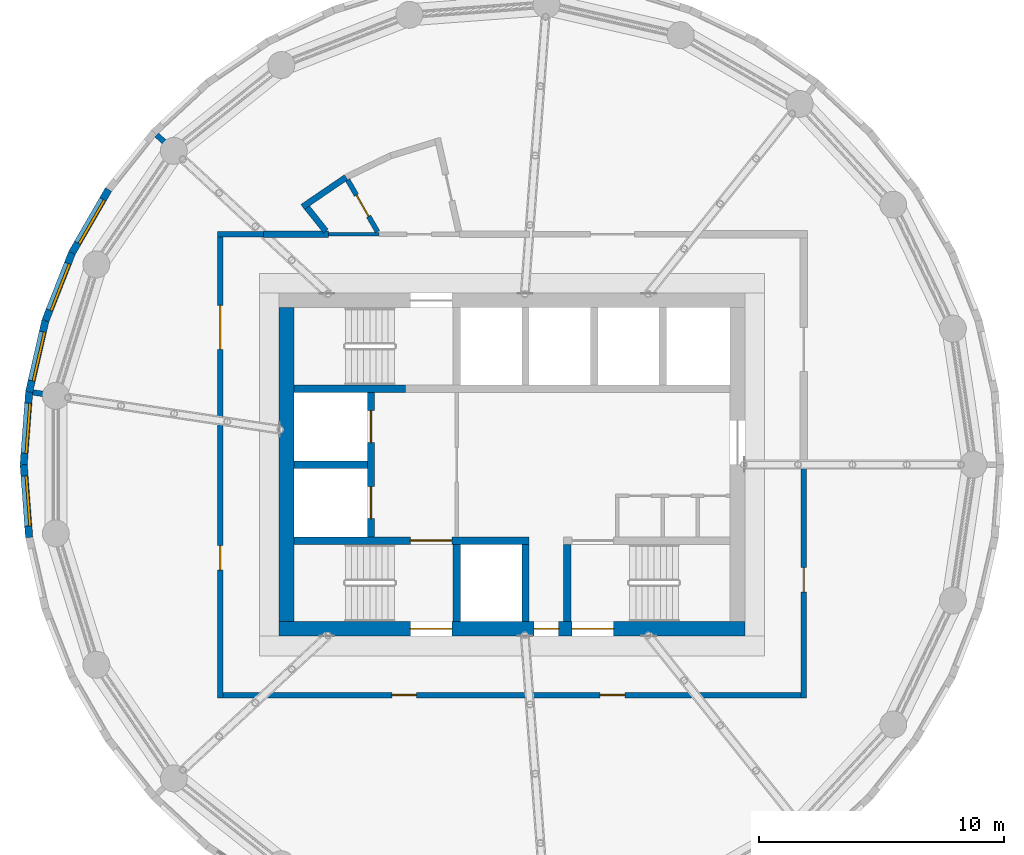
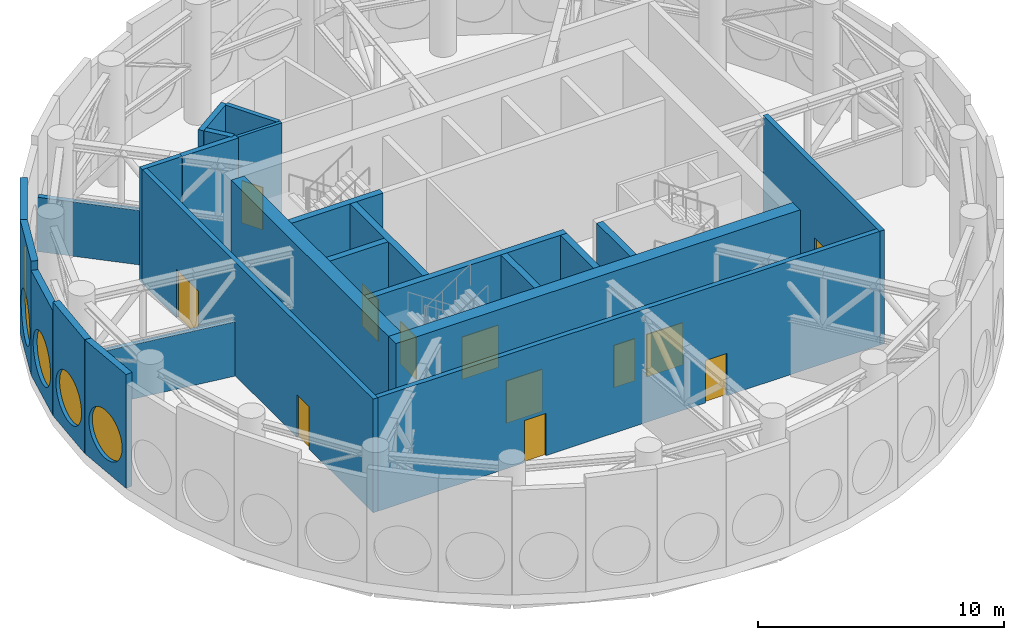
# One storey, part 8 of 13: 25 walls, 12 doors, 5 windows, 17 openings.
"""IFC4 building model written with IfcOpenShell, lengths in metres."""

from ifc_helpers import new_model, si_unit, direction, frame, frame_2d, origin, origin_2d, place, context, subcontext, project, spatial, rectangle, circle, extrude, material, layer, layer_set, type_object, element, fill, save


model = new_model("IFC4")

# Units and contexts
model_context = context("Model", 3, precision=1e-05, world=origin(), true_north=direction((0.0, 1.0)))
body_context = subcontext(model_context, "Body", "Model", "MODEL_VIEW")
ifc_project = project(units=[si_unit("LENGTHUNIT", "METRE"), si_unit("AREAUNIT", "SQUARE_METRE"), si_unit("VOLUMEUNIT", "CUBIC_METRE"), si_unit("PLANEANGLEUNIT", "RADIAN"), si_unit("MASSUNIT", "GRAM", prefix="KILO")], contexts=[model_context])

# Site, building, storey
site_placement = place(None, origin())
site = spatial("IfcSite", under=ifc_project, at=site_placement, CompositionType="ELEMENT")
building_placement = place(site_placement, origin())
building = spatial("IfcBuilding", under=site, at=building_placement, Name="Tracery Tower", CompositionType="ELEMENT")
storey_placement = place(building_placement, frame((0.0, 0.0, 277.800048828125)))
storey = spatial("IfcBuildingStorey", under=building, at=storey_placement, Name="L72 Plant", CompositionType="ELEMENT", Elevation=277.800048828125)

# Wall, openings, doors
ifc_material_1 = material(Name="Concrete C40/50", Category="concrete")
ifc_layer_1 = layer(ifc_material_1, 0.60009765625)
ifc_layer_set_1 = layer_set([ifc_layer_1], Name="Core wall 600 C40")
wall_type_1 = type_object("IfcWallType", Name="Core wall 600 C40", PredefinedType="SOLIDWALL", material=ifc_layer_set_1)
wall_1_placement = place(storey_placement, frame((-9.5, -6.699951171875, 0.0), z_axis=(0.0, 0.0, 1.0), x_axis=(1.0, 0.0, 0.0)))
wall_1 = element("IfcWall", 1, at=wall_1_placement, inside=storey, type_object=wall_type_1, Name="L72 Plant outer S", PredefinedType="SOLIDWALL", context=body_context, shape_type="SweptSolid", body=[
    extrude(rectangle(XDim=19.0, YDim=0.60009765625, at=frame_2d((9.5, 0.0))), origin(), (0.0, 0.0, 1.0), 6.0),
])
opening_1_placement = place(wall_1_placement, frame((10.39990234375, 0.0, 0.0)))
opening_1 = element("IfcOpeningElement", 2, at=opening_1_placement, cuts=wall_1, Name="Opening KD16", PredefinedType="OPENING", context=body_context, shape_type="SweptSolid", body=[
    extrude(rectangle(XDim=1.0, YDim=2.10009765625, at=frame_2d((0.5, 1.050048828125))), frame((0.0, 0.300048828125, 0.0), z_axis=(0.0, -1.0, 0.0), x_axis=(1.0, 0.0, 0.0)), (0.0, 0.0, 1.0), 0.60009765625),
])
opening_2_placement = place(wall_1_placement, frame((5.35009765625, 0.0, 0.0)))
opening_2 = element("IfcOpeningElement", 3, at=opening_2_placement, cuts=wall_1, Name="Opening KD3", PredefinedType="OPENING", context=body_context, shape_type="SweptSolid", body=[
    extrude(rectangle(XDim=1.699951171875, YDim=2.10009765625, at=frame_2d((0.85009765625, 1.050048828125))), frame((0.0, 0.300048828125, 0.0), z_axis=(0.0, -1.0, 0.0), x_axis=(1.0, 0.0, 0.0)), (0.0, 0.0, 1.0), 0.60009765625),
])
opening_3_placement = place(wall_1_placement, frame((11.949951171875, 0.0, 0.0)))
opening_3 = element("IfcOpeningElement", 4, at=opening_3_placement, cuts=wall_1, Name="Opening KD3", PredefinedType="OPENING", context=body_context, shape_type="SweptSolid", body=[
    extrude(rectangle(XDim=1.699951171875, YDim=2.10009765625, at=frame_2d((0.85009765625, 1.050048828125))), frame((0.0, 0.300048828125, 0.0), z_axis=(0.0, -1.0, 0.0), x_axis=(1.0, 0.0, 0.0)), (0.0, 0.0, 1.0), 0.60009765625),
])
ifc_material_2 = material(Name="Steel fire door", Category="steel")
door_type_1 = type_object("IfcDoorType", Name="Core exit door 1000", OperationType="NOTDEFINED", PredefinedType="DOOR", material=ifc_material_2)
door_1_placement = place(opening_1_placement, origin())
door_1 = element("IfcDoor", 5, at=door_1_placement, inside=storey, type_object=door_type_1, Name="Core exit door", OperationType="SINGLE_SWING_LEFT", OverallHeight=2.10009765625, OverallWidth=1.0, PredefinedType="DOOR", context=body_context, shape_type="SweptSolid", body=[
    extrude(rectangle(XDim=1.0, YDim=2.10009765625, at=frame_2d((0.5, 1.050048828125))), frame((0.0, 0.02490234375, 0.0), z_axis=(0.0, -1.0, 0.0), x_axis=(1.0, 0.0, 0.0)), (0.0, 0.0, 1.0), 0.050048828125),
])
fill(opening_1, door_1)
ifc_material_3 = material(Name="Steel fire door", Category="steel")
door_type_2 = type_object("IfcDoorType", Name="Core stair door 1700 double", OperationType="NOTDEFINED", PredefinedType="DOOR", material=ifc_material_3)
door_2_placement = place(opening_2_placement, origin())
door_2 = element("IfcDoor", 6, at=door_2_placement, inside=storey, type_object=door_type_2, Name="Stair door ST1 exit", OperationType="DOUBLE_DOOR_SINGLE_SWING", OverallHeight=2.10009765625, OverallWidth=1.699951171875, PredefinedType="DOOR", context=body_context, shape_type="SweptSolid", body=[
    extrude(rectangle(XDim=1.699951171875, YDim=2.10009765625, at=frame_2d((0.85009765625, 1.050048828125))), frame((0.0, 0.02490234375, 0.0), z_axis=(0.0, -1.0, 0.0), x_axis=(1.0, 0.0, 0.0)), (0.0, 0.0, 1.0), 0.050048828125),
])
fill(opening_2, door_2)
door_3_placement = place(opening_3_placement, origin())
door_3 = element("IfcDoor", 7, at=door_3_placement, inside=storey, type_object=door_type_2, Name="Stair door ST2 exit", OperationType="DOUBLE_DOOR_SINGLE_SWING", OverallHeight=2.10009765625, OverallWidth=1.699951171875, PredefinedType="DOOR", context=body_context, shape_type="SweptSolid", body=[
    extrude(rectangle(XDim=1.699951171875, YDim=2.10009765625, at=frame_2d((0.85009765625, 1.050048828125))), frame((0.0, 0.02490234375, 0.0), z_axis=(0.0, -1.0, 0.0), x_axis=(1.0, 0.0, 0.0)), (0.0, 0.0, 1.0), 0.050048828125),
])
fill(opening_3, door_3)

# Walls
wall_2_placement = place(storey_placement, frame((-9.199951171875, -6.39990234375, 0.0), z_axis=(0.0, 0.0, 1.0), x_axis=(0.0, 1.0, 0.0)))
element("IfcWall", 8, at=wall_2_placement, inside=storey, type_object=wall_type_1, Name="L72 Plant outer W", PredefinedType="SOLIDWALL", context=body_context, shape_type="SweptSolid", body=[
    extrude(rectangle(XDim=12.7998046875, YDim=0.60009765625, at=frame_2d((6.39990234375, 0.0))), origin(), (0.0, 0.0, 1.0), 6.0),
])
ifc_material_4 = material(Name="Plasterboard on steel studs", Category="steel")
ifc_layer_2 = layer(ifc_material_4, 0.14990234375)
ifc_layer_set_2 = layer_set([ifc_layer_2], Name="Corridor partition 150")
wall_type_2 = type_object("IfcWallType", Name="Corridor partition 150", PredefinedType="PARTITIONING", material=ifc_layer_set_2)
wall_3_placement = place(storey_placement, frame((-5.427001953125, 9.39990234375, 0.0), z_axis=(0.0, 0.0, 1.0), x_axis=(-1.0, 0.0, 0.0)))
element("IfcWall", 9, at=wall_3_placement, inside=storey, type_object=wall_type_2, Name="Corridor partition 150", PredefinedType="PARTITIONING", context=body_context, shape_type="SweptSolid", body=[
    extrude(rectangle(XDim=2.069091796875, YDim=0.14990234375, at=frame_2d((1.03466796875, 0.0))), origin(), (0.0, 0.0, 1.0), 5.64990234375),
])

# Wall, opening, door
ifc_material_5 = material(Name="Concrete blockwork", Category="masonry")
ifc_layer_3 = layer(ifc_material_5, 0.199951171875)
ifc_layer_set_3 = layer_set([ifc_layer_3], Name="Fire lobby wall 200")
wall_type_3 = type_object("IfcWallType", Name="Fire lobby wall 200", PredefinedType="PARTITIONING", material=ifc_layer_set_3)
wall_4_placement = place(storey_placement, frame((-5.48486328125, 9.5, 0.0), z_axis=(0.0, 0.0, 1.0), x_axis=(-0.499947586314, 0.866055662726, 0.0)))
wall_4 = element("IfcWall", 10, at=wall_4_placement, inside=storey, type_object=wall_type_3, Name="Fire lobby wall 200", PredefinedType="PARTITIONING", context=body_context, shape_type="SweptSolid", body=[
    extrude(rectangle(XDim=2.440673828125, YDim=0.199951171875, at=frame_2d((1.22021484375, 0.0))), origin(), (0.0, 0.0, 1.0), 5.64990234375),
])
opening_4_placement = place(wall_4_placement, frame((0.725341796875, 0.0, 0.0)))
opening_4 = element("IfcOpeningElement", 11, at=opening_4_placement, cuts=wall_4, Name="Opening SB-P72-10", PredefinedType="OPENING", context=body_context, shape_type="SweptSolid", body=[
    extrude(rectangle(XDim=1.0, YDim=2.10009765625, at=frame_2d((0.5, 1.050048828125))), frame((0.0, 0.10009765625, 0.0), z_axis=(0.0, -1.0, 0.0), x_axis=(1.0, 0.0, 0.0)), (0.0, 0.0, 1.0), 0.199951171875),
])
ifc_material_6 = material(Name="Timber door leaf", Category="wood")
door_type_3 = type_object("IfcDoorType", Name="Accessible toilet door 1000", OperationType="NOTDEFINED", PredefinedType="DOOR", material=ifc_material_6)
door_4_placement = place(opening_4_placement, origin())
door_4 = element("IfcDoor", 12, at=door_4_placement, inside=storey, type_object=door_type_3, Name="Accessible toilet door 1000", OperationType="SINGLE_SWING_RIGHT", OverallHeight=2.10009765625, OverallWidth=1.0, PredefinedType="DOOR", context=body_context, shape_type="SweptSolid", body=[
    extrude(rectangle(XDim=1.0, YDim=2.10009765625, at=frame_2d((0.5, 1.050048828125))), frame((0.0, 0.02490234375, 0.0), z_axis=(0.0, -1.0, 0.0), x_axis=(1.0, 0.0, 0.0)), (0.0, 0.0, 1.0), 0.050048828125),
])
fill(opening_4, door_4)

# Wall, opening, window
ifc_material_7 = material(Name="Precast concrete C50/60", Category="concrete")
ifc_layer_4 = layer(ifc_material_7, 0.300048828125)
ifc_layer_set_4 = layer_set([ifc_layer_4], Name="Plant louvre panel 3000 x 5200")
wall_type_4 = type_object("IfcWallType", Name="Plant louvre panel 3000 x 5200", PredefinedType="SOLIDWALL", material=ifc_layer_set_4)
wall_5_placement = place(storey_placement, frame((-19.03662109375, 5.8720703125, 0.0), z_axis=(0.0, 0.0, 1.0), x_axis=(-0.222535358937, -0.974924619662, 0.0)))
wall_5 = element("IfcWall", 13, at=wall_5_placement, inside=storey, type_object=wall_type_4, Name="Plant louvre panel 20 at L72 Plant", PredefinedType="SOLIDWALL", context=body_context, shape_type="SweptSolid", body=[
    extrude(rectangle(XDim=2.9775390625, YDim=0.300048828125, at=frame_2d((1.48876953125, 0.0))), origin(), (0.0, 0.0, 1.0), 5.199951171875),
])
opening_5_placement = place(wall_5_placement, frame((1.48876953125, 0.0, 1.824951171875)))
opening_5 = element("IfcOpeningElement", 14, at=opening_5_placement, cuts=wall_5, Name="Opening LV2", PredefinedType="OPENING", context=body_context, shape_type="SweptSolid", body=[
    extrude(circle(Radius=1.199951171875, at=origin_2d()), frame((0.0, 0.159912109375, 0.0), z_axis=(0.0, -1.0, 0.0), x_axis=(1.0, 0.0, 0.0)), (0.0, 0.0, 1.0), 0.320068359375),
])
ifc_material_8 = material(Name="Aluminium louvre, bronze anodised", Category="aluminium")
window_type = type_object("IfcWindowType", Name="Louvred oculus 2400, sill 625", PartitioningType="SINGLE_PANEL", PredefinedType="WINDOW", material=ifc_material_8)
window_1_placement = place(opening_5_placement, origin())
window_1 = element("IfcWindow", 15, at=window_1_placement, inside=storey, type_object=window_type, Name="Louvred oculus 20 at L72 Plant", OverallHeight=2.39990234375, OverallWidth=2.39990234375, PartitioningType="SINGLE_PANEL", PredefinedType="WINDOW", context=body_context, shape_type="SweptSolid", body=[
    extrude(circle(Radius=1.199951171875, at=origin_2d()), frame((0.0, 0.1201171875, 0.0), z_axis=(0.0, -1.0, 0.0), x_axis=(1.0, 0.0, 0.0)), (0.0, 0.0, 1.0), 0.10009765625),
])
fill(opening_5, window_1)

ifc_material_9 = material(Name="Precast concrete C50/60", Category="concrete")
ifc_layer_5 = layer(ifc_material_9, 0.300048828125)
ifc_layer_set_5 = layer_set([ifc_layer_5], Name="Plant louvre panel 3000 x 5650")
wall_type_5 = type_object("IfcWallType", Name="Plant louvre panel 3000 x 5650", PredefinedType="SOLIDWALL", material=ifc_layer_set_5)
wall_6_placement = place(storey_placement, frame((-16.460205078125, 11.222412109375, 0.0), z_axis=(0.0, 0.0, 1.0), x_axis=(-0.500001626982, -0.866024464444, 0.0)))
wall_6 = element("IfcWall", 16, at=wall_6_placement, inside=storey, type_object=wall_type_5, Name="Plant louvre panel 18 at L72 Plant", PredefinedType="SOLIDWALL", context=body_context, shape_type="SweptSolid", body=[
    extrude(rectangle(XDim=2.9775390625, YDim=0.300048828125, at=frame_2d((1.48876953125, 0.0))), origin(), (0.0, 0.0, 1.0), 5.64990234375),
])
opening_6_placement = place(wall_6_placement, frame((1.48876953125, 0.0, 1.824951171875)))
opening_6 = element("IfcOpeningElement", 17, at=opening_6_placement, cuts=wall_6, Name="Opening LV2", PredefinedType="OPENING", context=body_context, shape_type="SweptSolid", body=[
    extrude(circle(Radius=1.199951171875, at=origin_2d()), frame((0.0, 0.159912109375, 0.0), z_axis=(0.0, -1.0, 0.0), x_axis=(1.0, 0.0, 0.0)), (0.0, 0.0, 1.0), 0.320068359375),
])
window_2_placement = place(opening_6_placement, origin())
window_2 = element("IfcWindow", 18, at=window_2_placement, inside=storey, type_object=window_type, Name="Louvred oculus 18 at L72 Plant", OverallHeight=2.39990234375, OverallWidth=2.39990234375, PartitioningType="SINGLE_PANEL", PredefinedType="WINDOW", context=body_context, shape_type="SweptSolid", body=[
    extrude(circle(Radius=1.199951171875, at=origin_2d()), frame((0.0, 0.1201171875, 0.0), z_axis=(0.0, -1.0, 0.0), x_axis=(1.0, 0.0, 0.0)), (0.0, 0.0, 1.0), 0.10009765625),
])
fill(opening_6, window_2)

wall_7_placement = place(storey_placement, frame((-17.948974609375, 8.643798828125, 0.0), z_axis=(0.0, 0.0, 1.0), x_axis=(-0.365289571566, -0.930893940739, 0.0)))
wall_7 = element("IfcWall", 19, at=wall_7_placement, inside=storey, type_object=wall_type_5, Name="Plant louvre panel 19 at L72 Plant", PredefinedType="SOLIDWALL", context=body_context, shape_type="SweptSolid", body=[
    extrude(rectangle(XDim=2.9775390625, YDim=0.300048828125, at=frame_2d((1.48876953125, 0.0))), origin(), (0.0, 0.0, 1.0), 5.64990234375),
])
opening_7_placement = place(wall_7_placement, frame((1.48876953125, 0.0, 1.824951171875)))
opening_7 = element("IfcOpeningElement", 20, at=opening_7_placement, cuts=wall_7, Name="Opening LV2", PredefinedType="OPENING", context=body_context, shape_type="SweptSolid", body=[
    extrude(circle(Radius=1.199951171875, at=origin_2d()), frame((0.0, 0.159912109375, 0.0), z_axis=(0.0, -1.0, 0.0), x_axis=(1.0, 0.0, 0.0)), (0.0, 0.0, 1.0), 0.320068359375),
])
window_3_placement = place(opening_7_placement, origin())
window_3 = element("IfcWindow", 21, at=window_3_placement, inside=storey, type_object=window_type, Name="Louvred oculus 19 at L72 Plant", OverallHeight=2.39990234375, OverallWidth=2.39990234375, PartitioningType="SINGLE_PANEL", PredefinedType="WINDOW", context=body_context, shape_type="SweptSolid", body=[
    extrude(circle(Radius=1.199951171875, at=origin_2d()), frame((0.0, 0.1201171875, 0.0), z_axis=(0.0, -1.0, 0.0), x_axis=(1.0, 0.0, 0.0)), (0.0, 0.0, 1.0), 0.10009765625),
])
fill(opening_7, window_3)

wall_8_placement = place(storey_placement, frame((-19.69921875, 2.96923828125, 0.0), z_axis=(0.0, 0.0, 1.0), x_axis=(-0.074777718064, -0.997200227076, 0.0)))
wall_8 = element("IfcWall", 22, at=wall_8_placement, inside=storey, type_object=wall_type_5, Name="Plant louvre panel 21 at L72 Plant", PredefinedType="SOLIDWALL", context=body_context, shape_type="SweptSolid", body=[
    extrude(rectangle(XDim=2.9775390625, YDim=0.300048828125, at=frame_2d((1.48876953125, 0.0))), origin(), (0.0, 0.0, 1.0), 5.64990234375),
])
opening_8_placement = place(wall_8_placement, frame((1.48876953125, 0.0, 1.824951171875)))
opening_8 = element("IfcOpeningElement", 23, at=opening_8_placement, cuts=wall_8, Name="Opening LV2", PredefinedType="OPENING", context=body_context, shape_type="SweptSolid", body=[
    extrude(circle(Radius=1.199951171875, at=origin_2d()), frame((0.0, 0.159912109375, 0.0), z_axis=(0.0, -1.0, 0.0), x_axis=(1.0, 0.0, 0.0)), (0.0, 0.0, 1.0), 0.320068359375),
])
window_4_placement = place(opening_8_placement, origin())
window_4 = element("IfcWindow", 24, at=window_4_placement, inside=storey, type_object=window_type, Name="Louvred oculus 21 at L72 Plant", OverallHeight=2.39990234375, OverallWidth=2.39990234375, PartitioningType="SINGLE_PANEL", PredefinedType="WINDOW", context=body_context, shape_type="SweptSolid", body=[
    extrude(circle(Radius=1.199951171875, at=origin_2d()), frame((0.0, 0.1201171875, 0.0), z_axis=(0.0, -1.0, 0.0), x_axis=(1.0, 0.0, 0.0)), (0.0, 0.0, 1.0), 0.10009765625),
])
fill(opening_8, window_4)

wall_9_placement = place(storey_placement, frame((-19.921875, 0.0, 0.0), z_axis=(0.0, 0.0, 1.0), x_axis=(0.074777718064, -0.997200227076, 0.0)))
wall_9 = element("IfcWall", 25, at=wall_9_placement, inside=storey, type_object=wall_type_5, Name="Plant louvre panel 22 at L72 Plant", PredefinedType="SOLIDWALL", context=body_context, shape_type="SweptSolid", body=[
    extrude(rectangle(XDim=2.9775390625, YDim=0.300048828125, at=frame_2d((1.48876953125, 0.0))), origin(), (0.0, 0.0, 1.0), 5.64990234375),
])
opening_9_placement = place(wall_9_placement, frame((1.48876953125, 0.0, 1.824951171875)))
opening_9 = element("IfcOpeningElement", 26, at=opening_9_placement, cuts=wall_9, Name="Opening LV2", PredefinedType="OPENING", context=body_context, shape_type="SweptSolid", body=[
    extrude(circle(Radius=1.199951171875, at=origin_2d()), frame((0.0, 0.159912109375, 0.0), z_axis=(0.0, -1.0, 0.0), x_axis=(1.0, 0.0, 0.0)), (0.0, 0.0, 1.0), 0.320068359375),
])
window_5_placement = place(opening_9_placement, origin())
window_5 = element("IfcWindow", 27, at=window_5_placement, inside=storey, type_object=window_type, Name="Louvred oculus 22 at L72 Plant", OverallHeight=2.39990234375, OverallWidth=2.39990234375, PartitioningType="SINGLE_PANEL", PredefinedType="WINDOW", context=body_context, shape_type="SweptSolid", body=[
    extrude(circle(Radius=1.199951171875, at=origin_2d()), frame((0.0, 0.1201171875, 0.0), z_axis=(0.0, -1.0, 0.0), x_axis=(1.0, 0.0, 0.0)), (0.0, 0.0, 1.0), 0.10009765625),
])
fill(opening_9, window_5)

# Wall, openings, doors
ifc_material_10 = material(Name="Concrete blockwork", Category="masonry")
ifc_layer_6 = layer(ifc_material_10, 0.22509765625)
ifc_layer_set_6 = layer_set([ifc_layer_6], Name="Plant room block wall 225")
wall_type_6 = type_object("IfcWallType", Name="Plant room block wall 225", PredefinedType="PARTITIONING", material=ifc_layer_set_6)
wall_10_placement = place(storey_placement, frame((-11.78759765625, -9.39990234375, 0.0), z_axis=(0.0, 0.0, 1.0), x_axis=(1.0, 0.0, 0.0)))
wall_10 = element("IfcWall", 28, at=wall_10_placement, inside=storey, type_object=wall_type_6, Name="Plant room block wall 225", PredefinedType="PARTITIONING", context=body_context, shape_type="SweptSolid", body=[
    extrude(rectangle(XDim=23.5751953125, YDim=0.22509765625, at=frame_2d((11.78759765625, 0.0))), origin(), (0.0, 0.0, 1.0), 5.64990234375),
])
opening_10_placement = place(wall_10_placement, frame((6.8896484375, 0.0, 0.0)))
opening_10 = element("IfcOpeningElement", 29, at=opening_10_placement, cuts=wall_10, Name="Opening SB-P72-05", PredefinedType="OPENING", context=body_context, shape_type="SweptSolid", body=[
    extrude(rectangle(XDim=1.0, YDim=2.10009765625, at=frame_2d((0.5, 1.050048828125))), frame((0.0, 0.112548828125, 0.0), z_axis=(0.0, -1.0, 0.0), x_axis=(1.0, 0.0, 0.0)), (0.0, 0.0, 1.0), 0.22509765625),
])
opening_11_placement = place(wall_10_placement, frame((15.3876953125, 0.0, 0.0)))
opening_11 = element("IfcOpeningElement", 30, at=opening_11_placement, cuts=wall_10, Name="Opening SB-P72-06", PredefinedType="OPENING", context=body_context, shape_type="SweptSolid", body=[
    extrude(rectangle(XDim=1.0, YDim=2.10009765625, at=frame_2d((0.5, 1.050048828125))), frame((0.0, 0.112548828125, 0.0), z_axis=(0.0, -1.0, 0.0), x_axis=(1.0, 0.0, 0.0)), (0.0, 0.0, 1.0), 0.22509765625),
])
ifc_material_11 = material(Name="Steel fire door", Category="steel")
door_type_4 = type_object("IfcDoorType", Name="Plant room door 1000", OperationType="NOTDEFINED", PredefinedType="DOOR", material=ifc_material_11)
door_5_placement = place(opening_10_placement, origin())
door_5 = element("IfcDoor", 31, at=door_5_placement, inside=storey, type_object=door_type_4, Name="Plant room door 1000", OperationType="SINGLE_SWING_LEFT", OverallHeight=2.10009765625, OverallWidth=1.0, PredefinedType="DOOR", context=body_context, shape_type="SweptSolid", body=[
    extrude(rectangle(XDim=1.0, YDim=2.10009765625, at=frame_2d((0.5, 1.050048828125))), frame((0.0, 0.02490234375, 0.0), z_axis=(0.0, -1.0, 0.0), x_axis=(1.0, 0.0, 0.0)), (0.0, 0.0, 1.0), 0.050048828125),
])
fill(opening_10, door_5)
door_6_placement = place(opening_11_placement, origin())
door_6 = element("IfcDoor", 32, at=door_6_placement, inside=storey, type_object=door_type_4, Name="Plant room door 1000", OperationType="SINGLE_SWING_LEFT", OverallHeight=2.10009765625, OverallWidth=1.0, PredefinedType="DOOR", context=body_context, shape_type="SweptSolid", body=[
    extrude(rectangle(XDim=1.0, YDim=2.10009765625, at=frame_2d((0.5, 1.050048828125))), frame((0.0, 0.02490234375, 0.0), z_axis=(0.0, -1.0, 0.0), x_axis=(1.0, 0.0, 0.0)), (0.0, 0.0, 1.0), 0.050048828125),
])
fill(opening_11, door_6)

wall_11_placement = place(storey_placement, frame((-11.89990234375, 9.28759765625, 0.0), z_axis=(0.0, 0.0, 1.0), x_axis=(0.0, -1.0, 0.0)))
wall_11 = element("IfcWall", 33, at=wall_11_placement, inside=storey, type_object=wall_type_6, Name="Plant room block wall 225", PredefinedType="PARTITIONING", context=body_context, shape_type="SweptSolid", body=[
    extrude(rectangle(XDim=18.800048828125, YDim=0.22509765625, at=frame_2d((9.39990234375, 0.0))), origin(), (0.0, 0.0, 1.0), 5.64990234375),
])
opening_12_placement = place(wall_11_placement, frame((2.790771484375, 0.0, 0.0)))
opening_12 = element("IfcOpeningElement", 34, at=opening_12_placement, cuts=wall_11, Name="Opening SB-P72-03", PredefinedType="OPENING", context=body_context, shape_type="SweptSolid", body=[
    extrude(rectangle(XDim=1.800048828125, YDim=2.39990234375, at=frame_2d((0.89990234375, 1.199951171875))), frame((0.0, 0.112548828125, 0.0), z_axis=(0.0, -1.0, 0.0), x_axis=(1.0, 0.0, 0.0)), (0.0, 0.0, 1.0), 0.22509765625),
])
opening_13_placement = place(wall_11_placement, frame((12.5908203125, 0.0, 0.0)))
opening_13 = element("IfcOpeningElement", 35, at=opening_13_placement, cuts=wall_11, Name="Opening SB-P72-04", PredefinedType="OPENING", context=body_context, shape_type="SweptSolid", body=[
    extrude(rectangle(XDim=1.0, YDim=2.10009765625, at=frame_2d((0.5, 1.050048828125))), frame((0.0, 0.112548828125, 0.0), z_axis=(0.0, -1.0, 0.0), x_axis=(1.0, 0.0, 0.0)), (0.0, 0.0, 1.0), 0.22509765625),
])
door_7_placement = place(opening_13_placement, origin())
door_7 = element("IfcDoor", 36, at=door_7_placement, inside=storey, type_object=door_type_4, Name="Plant room door 1000", OperationType="SINGLE_SWING_LEFT", OverallHeight=2.10009765625, OverallWidth=1.0, PredefinedType="DOOR", context=body_context, shape_type="SweptSolid", body=[
    extrude(rectangle(XDim=1.0, YDim=2.10009765625, at=frame_2d((0.5, 1.050048828125))), frame((0.0, 0.02490234375, 0.0), z_axis=(0.0, -1.0, 0.0), x_axis=(1.0, 0.0, 0.0)), (0.0, 0.0, 1.0), 0.050048828125),
])
fill(opening_13, door_7)
ifc_material_12 = material(Name="Steel fire door", Category="steel")
door_type_5 = type_object("IfcDoorType", Name="Plant room double door 1800", OperationType="DOUBLE_DOOR_SINGLE_SWING", PredefinedType="DOOR", material=ifc_material_12)
door_8_placement = place(opening_12_placement, origin())
door_8 = element("IfcDoor", 37, at=door_8_placement, inside=storey, type_object=door_type_5, Name="Plant room double door 1800", OperationType="DOUBLE_DOOR_SINGLE_SWING", OverallHeight=2.39990234375, OverallWidth=1.800048828125, PredefinedType="DOOR", context=body_context, shape_type="SweptSolid", body=[
    extrude(rectangle(XDim=1.800048828125, YDim=2.39990234375, at=frame_2d((0.89990234375, 1.199951171875))), frame((0.0, 0.02490234375, 0.0), z_axis=(0.0, -1.0, 0.0), x_axis=(1.0, 0.0, 0.0)), (0.0, 0.0, 1.0), 0.050048828125),
])
fill(opening_12, door_8)

# Wall
wall_12_placement = place(storey_placement, frame((-10.130859375, 9.39990234375, 0.0), z_axis=(0.0, 0.0, 1.0), x_axis=(-1.0, 0.0, 0.0)))
element("IfcWall", 38, at=wall_12_placement, inside=storey, type_object=wall_type_6, Name="Plant room block wall 225", PredefinedType="PARTITIONING", context=body_context, shape_type="SweptSolid", body=[
    extrude(rectangle(XDim=1.881591796875, YDim=0.22509765625, at=frame_2d((0.94091796875, 0.0))), origin(), (0.0, 0.0, 1.0), 5.64990234375),
])

# Wall, opening, door
wall_13_placement = place(storey_placement, frame((11.89990234375, -9.512451171875, 0.0), z_axis=(0.0, 0.0, 1.0), x_axis=(0.0, 1.0, 0.0)))
wall_13 = element("IfcWall", 39, at=wall_13_placement, inside=storey, type_object=wall_type_6, Name="Plant room block wall 225", PredefinedType="PARTITIONING", context=body_context, shape_type="SweptSolid", body=[
    extrude(rectangle(XDim=9.512451171875, YDim=0.22509765625, at=frame_2d((4.75634765625, 0.0))), origin(), (0.0, 0.0, 1.0), 5.64990234375),
])
opening_14_placement = place(wall_13_placement, frame((4.3125, 0.0, 0.0)))
opening_14 = element("IfcOpeningElement", 40, at=opening_14_placement, cuts=wall_13, Name="Opening SB-P72-07", PredefinedType="OPENING", context=body_context, shape_type="SweptSolid", body=[
    extrude(rectangle(XDim=1.0, YDim=2.10009765625, at=frame_2d((0.5, 1.050048828125))), frame((0.0, 0.112548828125, 0.0), z_axis=(0.0, -1.0, 0.0), x_axis=(1.0, 0.0, 0.0)), (0.0, 0.0, 1.0), 0.22509765625),
])
door_9_placement = place(opening_14_placement, origin())
door_9 = element("IfcDoor", 41, at=door_9_placement, inside=storey, type_object=door_type_4, Name="Plant room door 1000", OperationType="SINGLE_SWING_LEFT", OverallHeight=2.10009765625, OverallWidth=1.0, PredefinedType="DOOR", context=body_context, shape_type="SweptSolid", body=[
    extrude(rectangle(XDim=1.0, YDim=2.10009765625, at=frame_2d((0.5, 1.050048828125))), frame((0.0, 0.02490234375, 0.0), z_axis=(0.0, -1.0, 0.0), x_axis=(1.0, 0.0, 0.0)), (0.0, 0.0, 1.0), 0.050048828125),
])
fill(opening_14, door_9)

# Walls
ifc_material_13 = material(Name="Concrete blockwork", Category="masonry")
ifc_layer_7 = layer(ifc_material_13, 0.22509765625)
ifc_layer_set_7 = layer_set([ifc_layer_7], Name="Plant wall under outrigger truss 225")
wall_type_7 = type_object("IfcWallType", Name="Plant wall under outrigger truss 225", PredefinedType="PARTITIONING", material=ifc_layer_set_7)
wall_14_placement = place(storey_placement, frame((-19.550537109375, 2.94677734375, 0.0), z_axis=(0.0, 0.0, 1.0), x_axis=(0.988828618492, -0.14905691279, 0.0)))
element("IfcWall", 42, at=wall_14_placement, inside=storey, type_object=wall_type_7, Name="Plant wall under outrigger truss 225", PredefinedType="PARTITIONING", context=body_context, shape_type="SweptSolid", body=[
    extrude(rectangle(XDim=7.614501953125, YDim=0.22509765625, at=frame_2d((3.80712890625, 0.0))), origin(), (0.0, 0.0, 1.0), 2.699951171875),
])
wall_15_placement = place(storey_placement, frame((-14.493408203125, 13.447998046875, 0.0), z_axis=(0.0, 0.0, 1.0), x_axis=(0.733046716658, -0.680178293682, 0.0)))
element("IfcWall", 43, at=wall_15_placement, inside=storey, type_object=wall_type_7, Name="Plant wall under outrigger truss 225", PredefinedType="PARTITIONING", context=body_context, shape_type="SweptSolid", body=[
    extrude(rectangle(XDim=5.767822265625, YDim=0.22509765625, at=frame_2d((2.8837890625, 0.0))), origin(), (0.0, 0.0, 1.0), 2.699951171875),
])
ifc_material_14 = material(Name="Concrete blockwork", Category="masonry")
ifc_layer_8 = layer(ifc_material_14, 0.25)
ifc_layer_set_8 = layer_set([ifc_layer_8], Name="Refuge block wall 250")
wall_type_8 = type_object("IfcWallType", Name="Refuge block wall 250", PredefinedType="PARTITIONING", material=ifc_layer_set_8)
wall_16_placement = place(storey_placement, frame((-8.361572265625, 10.485107421875, 0.0), z_axis=(0.0, 0.0, 1.0), x_axis=(0.623433557063, -0.781876332886, 0.0)))
element("IfcWall", 44, at=wall_16_placement, inside=storey, type_object=wall_type_8, Name="Refuge block wall 250", PredefinedType="PARTITIONING", context=body_context, shape_type="SweptSolid", body=[
    extrude(rectangle(XDim=1.22802734375, YDim=0.25, at=frame_2d((0.614013671875, 0.0))), origin(), (0.0, 0.0, 1.0), 5.64990234375),
])
wall_17_placement = place(storey_placement, frame((-7.49609375, 9.39990234375, 0.0), z_axis=(0.0, 0.0, 1.0), x_axis=(-1.0, 0.0, 0.0)))
element("IfcWall", 45, at=wall_17_placement, inside=storey, type_object=wall_type_8, Name="Refuge block wall 250", PredefinedType="PARTITIONING", context=body_context, shape_type="SweptSolid", body=[
    extrude(rectangle(XDim=2.634765625, YDim=0.25, at=frame_2d((1.3173828125, 0.0))), origin(), (0.0, 0.0, 1.0), 5.64990234375),
])
wall_18_placement = place(storey_placement, frame((-6.767822265625, 11.722412109375, 0.0), z_axis=(0.0, 0.0, 1.0), x_axis=(-0.826217725123, -0.563350930321, 0.0)))
element("IfcWall", 46, at=wall_18_placement, inside=storey, type_object=wall_type_8, Name="Refuge block wall 250", PredefinedType="PARTITIONING", context=body_context, shape_type="SweptSolid", body=[
    extrude(rectangle(XDim=2.148193359375, YDim=0.25, at=frame_2d((1.07421875, 0.0))), origin(), (0.0, 0.0, 1.0), 5.64990234375),
])
ifc_material_15 = material(Name="Concrete C40/50", Category="concrete")
ifc_layer_9 = layer(ifc_material_15, 0.300048828125)
ifc_layer_set_9 = layer_set([ifc_layer_9], Name="Shaft wall 300 C40")
wall_type_9 = type_object("IfcWallType", Name="Shaft wall 300 C40", PredefinedType="SOLIDWALL", material=ifc_layer_set_9)
wall_19_placement = place(storey_placement, frame((-8.89990234375, 0.0, 0.0), z_axis=(0.0, 0.0, 1.0), x_axis=(1.0, 0.0, 0.0)))
element("IfcWall", 47, at=wall_19_placement, inside=storey, type_object=wall_type_9, Name="L72 Plant FF split", PredefinedType="SOLIDWALL", context=body_context, shape_type="SweptSolid", body=[
    extrude(rectangle(XDim=3.0, YDim=0.300048828125, at=frame_2d((1.5, 0.0))), origin(), (0.0, 0.0, 1.0), 5.64990234375),
])

# Wall, openings, doors
wall_20_placement = place(storey_placement, frame((-5.75, -2.949951171875, 0.0), z_axis=(0.0, 0.0, 1.0), x_axis=(0.0, 1.0, 0.0)))
wall_20 = element("IfcWall", 48, at=wall_20_placement, inside=storey, type_object=wall_type_9, Name="L72 Plant FF doors", PredefinedType="SOLIDWALL", context=body_context, shape_type="SweptSolid", body=[
    extrude(rectangle(XDim=5.89990234375, YDim=0.300048828125, at=frame_2d((2.949951171875, 0.0))), origin(), (0.0, 0.0, 1.0), 5.64990234375),
])
opening_15_placement = place(wall_20_placement, frame((0.75, 0.0, 0.0)))
opening_15 = element("IfcOpeningElement", 49, at=opening_15_placement, cuts=wall_20, Name="Opening KD54", PredefinedType="OPENING", context=body_context, shape_type="SweptSolid", body=[
    extrude(rectangle(XDim=1.300048828125, YDim=2.10009765625, at=frame_2d((0.64990234375, 1.050048828125))), frame((0.0, 0.14990234375, 0.0), z_axis=(0.0, -1.0, 0.0), x_axis=(1.0, 0.0, 0.0)), (0.0, 0.0, 1.0), 0.300048828125),
])
opening_16_placement = place(wall_20_placement, frame((3.85009765625, 0.0, 0.0)))
opening_16 = element("IfcOpeningElement", 50, at=opening_16_placement, cuts=wall_20, Name="Opening KD55", PredefinedType="OPENING", context=body_context, shape_type="SweptSolid", body=[
    extrude(rectangle(XDim=1.300048828125, YDim=2.10009765625, at=frame_2d((0.64990234375, 1.050048828125))), frame((0.0, 0.14990234375, 0.0), z_axis=(0.0, -1.0, 0.0), x_axis=(1.0, 0.0, 0.0)), (0.0, 0.0, 1.0), 0.300048828125),
])
ifc_material_16 = material(Name="Steel fire door", Category="steel")
door_type_6 = type_object("IfcDoorType", Name="Landing door FF 1300", OperationType="NOTDEFINED", PredefinedType="DOOR", material=ifc_material_16)
door_10_placement = place(opening_15_placement, origin())
door_10 = element("IfcDoor", 51, at=door_10_placement, inside=storey, type_object=door_type_6, Name="Landing door FF1", OperationType="SLIDING_TO_LEFT", OverallHeight=2.10009765625, OverallWidth=1.300048828125, PredefinedType="DOOR", context=body_context, shape_type="SweptSolid", body=[
    extrude(rectangle(XDim=1.300048828125, YDim=2.10009765625, at=frame_2d((0.64990234375, 1.050048828125))), frame((0.0, 0.02490234375, 0.0), z_axis=(0.0, -1.0, 0.0), x_axis=(1.0, 0.0, 0.0)), (0.0, 0.0, 1.0), 0.050048828125),
])
fill(opening_15, door_10)
door_11_placement = place(opening_16_placement, origin())
door_11 = element("IfcDoor", 52, at=door_11_placement, inside=storey, type_object=door_type_6, Name="Landing door FF2", OperationType="SLIDING_TO_RIGHT", OverallHeight=2.10009765625, OverallWidth=1.300048828125, PredefinedType="DOOR", context=body_context, shape_type="SweptSolid", body=[
    extrude(rectangle(XDim=1.300048828125, YDim=2.10009765625, at=frame_2d((0.64990234375, 1.050048828125))), frame((0.0, 0.02490234375, 0.0), z_axis=(0.0, -1.0, 0.0), x_axis=(1.0, 0.0, 0.0)), (0.0, 0.0, 1.0), 0.050048828125),
])
fill(opening_16, door_11)

# Wall
wall_21_placement = place(storey_placement, frame((0.550048828125, -6.39990234375, 0.0), z_axis=(0.0, 0.0, 1.0), x_axis=(0.0, 1.0, 0.0)))
element("IfcWall", 53, at=wall_21_placement, inside=storey, type_object=wall_type_9, Name="L72 Plant OB2 E", PredefinedType="SOLIDWALL", context=body_context, shape_type="SweptSolid", body=[
    extrude(rectangle(XDim=3.14990234375, YDim=0.300048828125, at=frame_2d((1.574951171875, 0.0))), origin(), (0.0, 0.0, 1.0), 5.64990234375),
])

# Wall, opening, door
ifc_material_17 = material(Name="Concrete C40/50", Category="concrete")
ifc_layer_10 = layer(ifc_material_17, 0.300048828125)
ifc_layer_set_10 = layer_set([ifc_layer_10], Name="Stair wall 300 C40")
wall_type_10 = type_object("IfcWallType", Name="Stair wall 300 C40", PredefinedType="SOLIDWALL", material=ifc_layer_set_10)
wall_22_placement = place(storey_placement, frame((-8.89990234375, -3.10009765625, 0.0), z_axis=(0.0, 0.0, 1.0), x_axis=(1.0, 0.0, 0.0)))
wall_22 = element("IfcWall", 54, at=wall_22_placement, inside=storey, type_object=wall_type_10, Name="L72 Plant row S", PredefinedType="SOLIDWALL", context=body_context, shape_type="SweptSolid", body=[
    extrude(rectangle(XDim=9.599853515625, YDim=0.300048828125, at=frame_2d((4.7998046875, 0.0))), origin(), (0.0, 0.0, 1.0), 5.64990234375),
])
opening_17_placement = place(wall_22_placement, frame((4.75, 0.0, 0.0)))
opening_17 = element("IfcOpeningElement", 55, at=opening_17_placement, cuts=wall_22, Name="Opening KD3", PredefinedType="OPENING", context=body_context, shape_type="SweptSolid", body=[
    extrude(rectangle(XDim=1.699951171875, YDim=2.10009765625, at=frame_2d((0.85009765625, 1.050048828125))), frame((0.0, 0.14990234375, 0.0), z_axis=(0.0, -1.0, 0.0), x_axis=(1.0, 0.0, 0.0)), (0.0, 0.0, 1.0), 0.300048828125),
])
door_12_placement = place(opening_17_placement, origin())
door_12 = element("IfcDoor", 56, at=door_12_placement, inside=storey, type_object=door_type_2, Name="Stair door ST1", OperationType="DOUBLE_DOOR_SINGLE_SWING", OverallHeight=2.10009765625, OverallWidth=1.699951171875, PredefinedType="DOOR", context=body_context, shape_type="SweptSolid", body=[
    extrude(rectangle(XDim=1.699951171875, YDim=2.10009765625, at=frame_2d((0.85009765625, 1.050048828125))), frame((0.0, 0.02490234375, 0.0), z_axis=(0.0, -1.0, 0.0), x_axis=(1.0, 0.0, 0.0)), (0.0, 0.0, 1.0), 0.050048828125),
])
fill(opening_17, door_12)

# Walls
wall_23_placement = place(storey_placement, frame((-8.89990234375, 3.10009765625, 0.0), z_axis=(0.0, 0.0, 1.0), x_axis=(1.0, 0.0, 0.0)))
element("IfcWall", 57, at=wall_23_placement, inside=storey, type_object=wall_type_10, Name="L72 Plant row N W", PredefinedType="SOLIDWALL", context=body_context, shape_type="SweptSolid", body=[
    extrude(rectangle(XDim=4.5498046875, YDim=0.300048828125, at=frame_2d((2.27490234375, 0.0))), origin(), (0.0, 0.0, 1.0), 5.64990234375),
])
for number, where, z_axis, x_axis, name in (
    (58, (-2.25, -6.39990234375, 0.0), (0.0, 0.0, 1.0), (0.0, 1.0, 0.0), "L72 Plant ST1 E"),
    (59, (2.25, -6.39990234375, 0.0), (0.0, 0.0, 1.0), (0.0, 1.0, 0.0), "L72 Plant ST2 W"),
):
    element("IfcWall", number, at=place(storey_placement, frame(where, z_axis=z_axis, x_axis=x_axis)), inside=storey, type_object=wall_type_10, Name=name, PredefinedType="SOLIDWALL", context=body_context, shape_type="SweptSolid", body=[
        extrude(rectangle(XDim=3.14990234375, YDim=0.300048828125, at=frame_2d((1.574951171875, 0.0))), origin(), (0.0, 0.0, 1.0), 5.64990234375),
    ])

save(model, "model.ifc")
